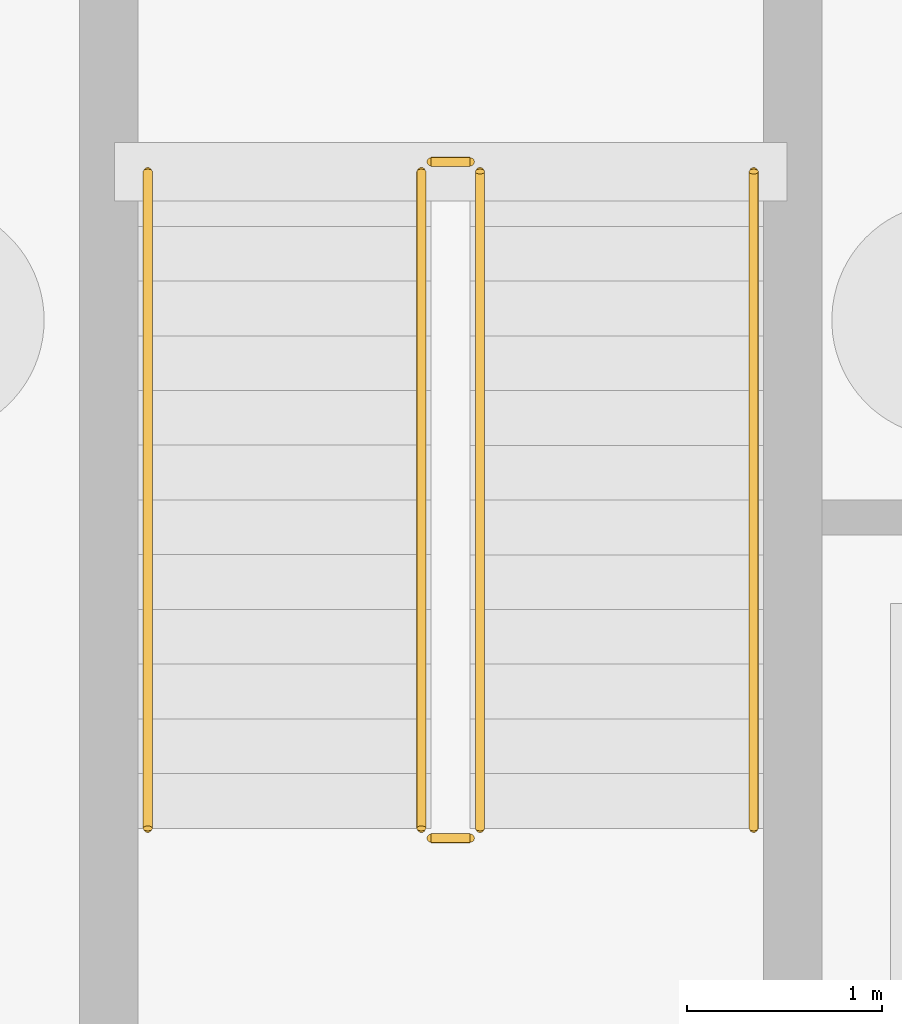
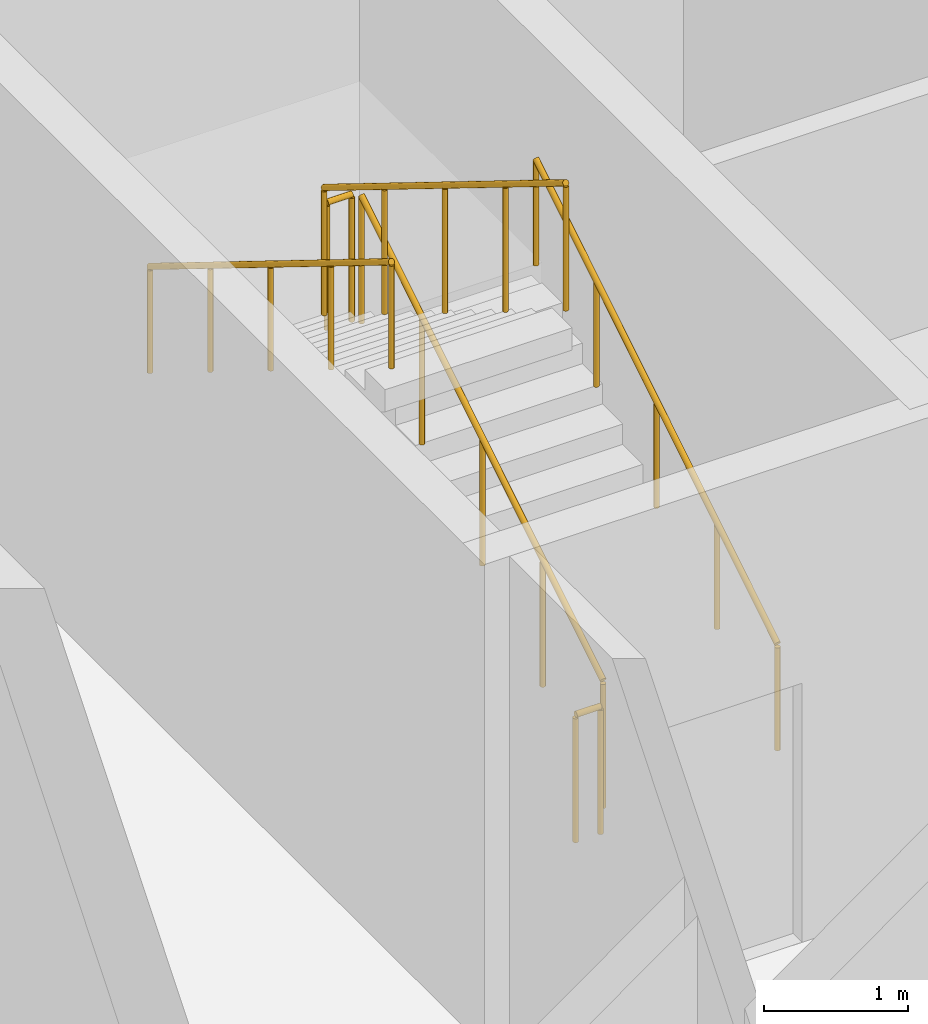
# One storey, part 36 of 40: 6 railings.
"""IFC4 building model written with IfcOpenShell, lengths in metres."""

from ifc_helpers import new_model, si_unit, direction, frame, origin, origin_2d, place, context, subcontext, project, spatial, circle, extrude, material, type_object, element, save


model = new_model("IFC4")

# Units and contexts
model_context = context("Model", 3, precision=1e-05, world=origin(), true_north=direction((0.0, 1.0)))
body_context = subcontext(model_context, "Body", "Model", "MODEL_VIEW")
ifc_project = project(units=[si_unit("LENGTHUNIT", "METRE"), si_unit("AREAUNIT", "SQUARE_METRE"), si_unit("VOLUMEUNIT", "CUBIC_METRE"), si_unit("PLANEANGLEUNIT", "RADIAN"), si_unit("MASSUNIT", "GRAM", prefix="KILO")], contexts=[model_context])

# Site, building, storey
site_placement = place(None, origin())
site = spatial("IfcSite", under=ifc_project, at=site_placement, CompositionType="ELEMENT")
building_placement = place(site_placement, origin())
building = spatial("IfcBuilding", under=site, at=building_placement, Name="Mzevani Central Library", CompositionType="ELEMENT")
storey_placement = place(building_placement, frame((0.0, 0.0, -4.5)))
storey = spatial("IfcBuildingStorey", under=building, at=storey_placement, Name="B1", CompositionType="ELEMENT", Elevation=-4.5)

# Railings
ifc_material = material(Name="Brushed stainless steel rail", Category="steel")
railing_type_1 = type_object("IfcRailingType", Name="Interior Gallery and Stair Guard 1100", PredefinedType="BALUSTRADE", material=ifc_material)
railing_1_placement = place(storey_placement, frame((57.550048828125, 106.699951171875, 0.173095703125)))
element("IfcRailing", 1, at=railing_1_placement, inside=storey, type_object=railing_type_1, Name="B1 ST-05 stair guard 1", PredefinedType="BALUSTRADE", context=body_context, shape_type="SweptSolid", body=[
    extrude(circle(Radius=0.02392578125, at=origin_2d()), frame((0.0, 0.0, 1.076171875), z_axis=(0.0, 0.850623216509, 0.525775754039), x_axis=(-1.0, 0.0, 0.0)), (0.0, 0.0, 1.0), 3.9501953125),
    extrude(circle(Radius=0.02099609375, at=origin_2d()), origin(), (0.0, 0.0, 1.0), 1.052001953125),
    extrude(circle(Radius=0.02099609375, at=origin_2d()), frame((0.0, 0.840087890625, 0.519287109375)), (0.0, 0.0, 1.0), 1.052001953125),
    extrude(circle(Radius=0.02099609375, at=origin_2d()), frame((0.0, 1.68017578125, 1.03857421875)), (0.0, 0.0, 1.0), 1.052001953125),
    extrude(circle(Radius=0.02099609375, at=origin_2d()), frame((0.0, 2.52001953125, 1.5576171875)), (0.0, 0.0, 1.0), 1.052001953125),
    extrude(circle(Radius=0.02099609375, at=origin_2d()), frame((0.0, 3.360107421875, 2.076904296875)), (0.0, 0.0, 1.0), 1.052001953125),
])
railing_2_placement = place(storey_placement, frame((57.5, 110.110107421875, 2.25)))
element("IfcRailing", 2, at=railing_2_placement, inside=storey, type_object=railing_type_1, Name="B1 ST-05 stair guard 2", PredefinedType="BALUSTRADE", context=body_context, shape_type="SweptSolid", body=[
    extrude(circle(Radius=0.02392578125, at=origin_2d()), frame((0.0, 0.0, 1.076171875), z_axis=(-1.0, 0.0, 0.0), x_axis=(0.0, -1.0, 0.0)), (0.0, 0.0, 1.0), 0.199951171875),
    extrude(circle(Radius=0.02099609375, at=origin_2d()), origin(), (0.0, 0.0, 1.0), 1.052001953125),
    extrude(circle(Radius=0.02099609375, at=origin_2d()), frame((-0.199951171875, 0.0, 0.0)), (0.0, 0.0, 1.0), 1.052001953125),
])
railing_3_placement = place(storey_placement, frame((57.25, 110.06005859375, 2.423095703125)))
element("IfcRailing", 3, at=railing_3_placement, inside=storey, type_object=railing_type_1, Name="B1 ST-05 stair guard 3", PredefinedType="BALUSTRADE", context=body_context, shape_type="SweptSolid", body=[
    extrude(circle(Radius=0.02392578125, at=origin_2d()), frame((0.0, 0.0, 1.076171875), z_axis=(0.0, -0.850623216509, 0.525775754039), x_axis=(1.0, 0.0, 0.0)), (0.0, 0.0, 1.0), 3.9501953125),
    extrude(circle(Radius=0.02099609375, at=origin_2d()), origin(), (0.0, 0.0, 1.0), 1.052001953125),
    extrude(circle(Radius=0.02099609375, at=origin_2d()), frame((0.0, -0.840087890625, 0.519287109375)), (0.0, 0.0, 1.0), 1.052001953125),
    extrude(circle(Radius=0.02099609375, at=origin_2d()), frame((0.0, -1.68017578125, 1.03857421875)), (0.0, 0.0, 1.0), 1.052001953125),
    extrude(circle(Radius=0.02099609375, at=origin_2d()), frame((0.0, -2.52001953125, 1.5576171875)), (0.0, 0.0, 1.0), 1.052001953125),
    extrude(circle(Radius=0.02099609375, at=origin_2d()), frame((0.0, -3.360107421875, 2.076904296875)), (0.0, 0.0, 1.0), 1.052001953125),
])
railing_4_placement = place(storey_placement, frame((57.5, 106.64990234375, 0.0)))
element("IfcRailing", 4, at=railing_4_placement, inside=storey, type_object=railing_type_1, Name="B1 ST-05 stair guard 4", PredefinedType="BALUSTRADE", context=body_context, shape_type="SweptSolid", body=[
    extrude(circle(Radius=0.02392578125, at=origin_2d()), frame((0.0, 0.0, 1.076171875), z_axis=(-1.0, 0.0, 0.0), x_axis=(0.0, -1.0, 0.0)), (0.0, 0.0, 1.0), 0.199951171875),
    extrude(circle(Radius=0.02099609375, at=origin_2d()), origin(), (0.0, 0.0, 1.0), 1.052001953125),
    extrude(circle(Radius=0.02099609375, at=origin_2d()), frame((-0.199951171875, 0.0, 0.0)), (0.0, 0.0, 1.0), 1.052001953125),
])
railing_type_2 = type_object("IfcRailingType", Name="Stair Wall Handrail 920", PredefinedType="HANDRAIL", material=ifc_material)
railing_5_placement = place(storey_placement, frame((58.949951171875, 106.699951171875, 0.173095703125)))
element("IfcRailing", 5, at=railing_5_placement, inside=storey, type_object=railing_type_2, Name="B1 ST-05 stair handrail 1", PredefinedType="HANDRAIL", context=body_context, shape_type="SweptSolid", body=[
    extrude(circle(Radius=0.02392578125, at=origin_2d()), frame((0.0, 0.0, 0.89599609375), z_axis=(0.0, 0.850623216509, 0.525775754039), x_axis=(-1.0, 0.0, 0.0)), (0.0, 0.0, 1.0), 3.9501953125),
    extrude(circle(Radius=0.02099609375, at=origin_2d()), origin(), (0.0, 0.0, 1.0), 0.871826171875),
    extrude(circle(Radius=0.02099609375, at=origin_2d()), frame((0.0, 0.840087890625, 0.519287109375)), (0.0, 0.0, 1.0), 0.871826171875),
    extrude(circle(Radius=0.02099609375, at=origin_2d()), frame((0.0, 1.68017578125, 1.03857421875)), (0.0, 0.0, 1.0), 0.871826171875),
    extrude(circle(Radius=0.02099609375, at=origin_2d()), frame((0.0, 2.52001953125, 1.5576171875)), (0.0, 0.0, 1.0), 0.871826171875),
    extrude(circle(Radius=0.02099609375, at=origin_2d()), frame((0.0, 3.360107421875, 2.076904296875)), (0.0, 0.0, 1.0), 0.871826171875),
])
railing_6_placement = place(storey_placement, frame((55.85009765625, 110.06005859375, 2.423095703125)))
element("IfcRailing", 6, at=railing_6_placement, inside=storey, type_object=railing_type_2, Name="B1 ST-05 stair handrail 2", PredefinedType="HANDRAIL", context=body_context, shape_type="SweptSolid", body=[
    extrude(circle(Radius=0.02392578125, at=origin_2d()), frame((0.0, 0.0, 0.89599609375), z_axis=(0.0, -0.850623216509, 0.525775754039), x_axis=(1.0, 0.0, 0.0)), (0.0, 0.0, 1.0), 3.9501953125),
    extrude(circle(Radius=0.02099609375, at=origin_2d()), origin(), (0.0, 0.0, 1.0), 0.871826171875),
    extrude(circle(Radius=0.02099609375, at=origin_2d()), frame((0.0, -0.840087890625, 0.519287109375)), (0.0, 0.0, 1.0), 0.871826171875),
    extrude(circle(Radius=0.02099609375, at=origin_2d()), frame((0.0, -1.68017578125, 1.03857421875)), (0.0, 0.0, 1.0), 0.871826171875),
    extrude(circle(Radius=0.02099609375, at=origin_2d()), frame((0.0, -2.52001953125, 1.5576171875)), (0.0, 0.0, 1.0), 0.871826171875),
    extrude(circle(Radius=0.02099609375, at=origin_2d()), frame((0.0, -3.360107421875, 2.076904296875)), (0.0, 0.0, 1.0), 0.871826171875),
])

save(model, "model.ifc")
